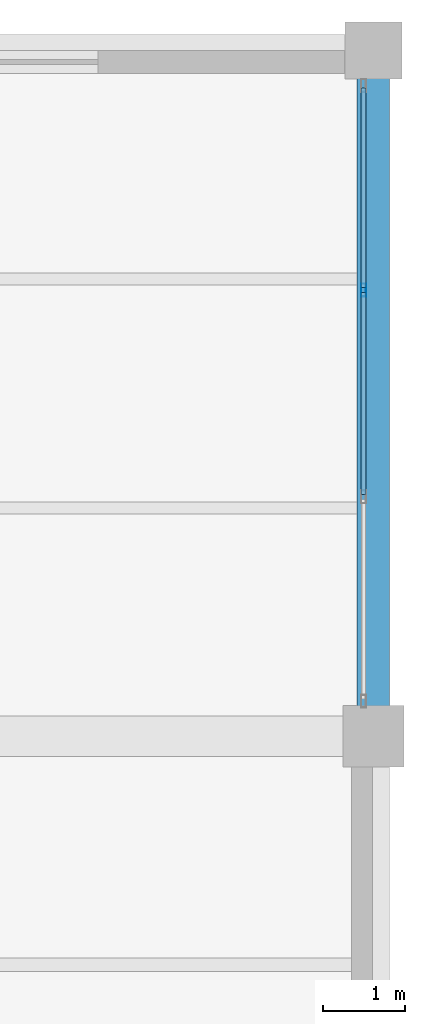
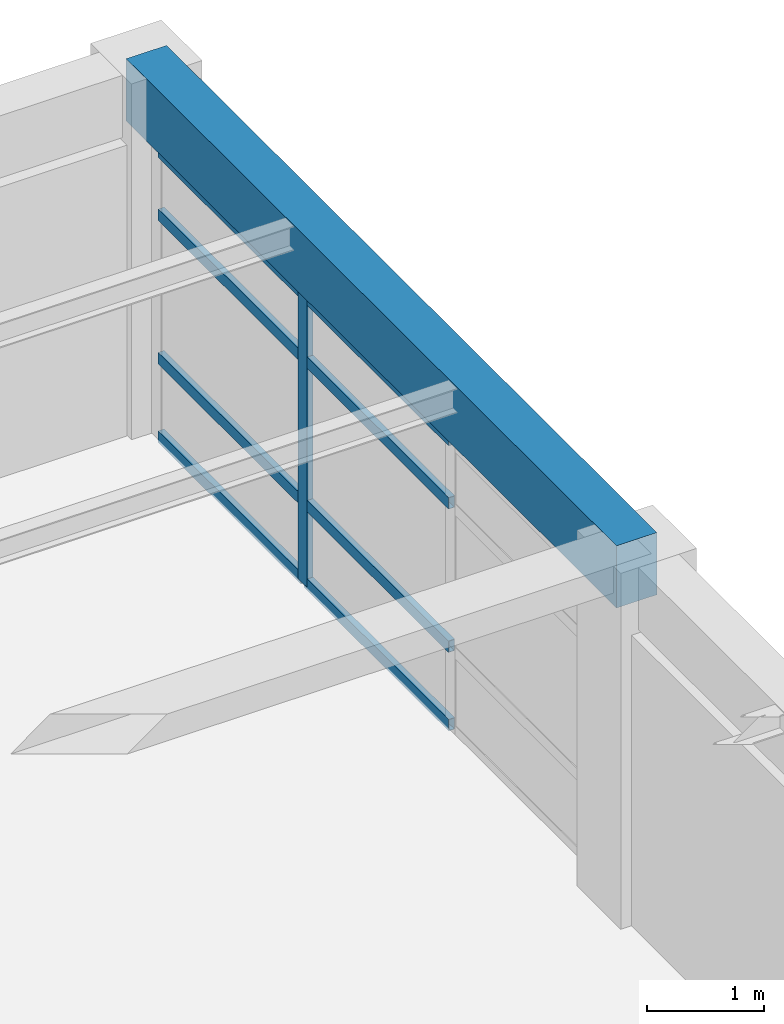
# One storey, part 19 of 31: 9 members, 1 beam, 1 element without a shape of its own.
"""IFC4 building model written with IfcOpenShell, lengths in metres."""

from ifc_helpers import new_model, si_unit, direction, frame, origin, origin_2d, place, context, subcontext, project, spatial, rectangle, hollow_rectangle, extrude, material, material_profile, profile_set, type_object, element, aggregate, save


model = new_model("IFC4")

# Units and contexts
model_context = context("Model", 3, precision=1e-05, world=origin(), true_north=direction((0.0, 1.0)))
body_context = subcontext(model_context, "Body", "Model", "MODEL_VIEW")
ifc_project = project(units=[si_unit("LENGTHUNIT", "METRE"), si_unit("AREAUNIT", "SQUARE_METRE"), si_unit("VOLUMEUNIT", "CUBIC_METRE"), si_unit("PLANEANGLEUNIT", "RADIAN"), si_unit("MASSUNIT", "GRAM", prefix="KILO")], contexts=[model_context])

# Site, building, storey
site_placement = place(None, origin())
site = spatial("IfcSite", under=ifc_project, at=site_placement, CompositionType="ELEMENT")
building_placement = place(site_placement, origin())
building = spatial("IfcBuilding", under=site, at=building_placement, Name="Almacenes y Pasaje Nevantli", CompositionType="ELEMENT")
storey_placement = place(building_placement, frame((0.0, 0.0, 34.699951171875)))
storey = spatial("IfcBuildingStorey", under=building, at=storey_placement, Name="L08", CompositionType="ELEMENT", Elevation=34.699951171875)

# Beam
ifc_material_1 = material(Name="Concrete C35/45", Category="concrete")
ifc_material_profile_1 = material_profile(ifc_material_1, rectangle(XDim=0.39990234375, YDim=0.64990234375, at=origin_2d()), Name="RC-BM-400x650")
ifc_profile_set_1 = profile_set([ifc_material_profile_1], Name="Concrete C35/45")
beam_type = type_object("IfcBeamType", Name="BM-RC-400x650", PredefinedType="SPANDREL", material=ifc_profile_set_1)
beam_placement = place(storey_placement, frame((159.60009765625, 92.39990234375, 3.39501953125), z_axis=(0.0, 1.0, 0.0), x_axis=(-1.0, 0.0, 0.0)))
element("IfcBeam", 1, at=beam_placement, inside=storey, type_object=beam_type, Name="L08 North-South Reinforced Concrete Beam #3740", PredefinedType="SPANDREL", context=body_context, shape_type="SweptSolid", body=[
    extrude(rectangle(XDim=0.39990234375, YDim=0.64990234375, at=origin_2d()), origin(), (0.0, 0.0, 1.0), 8.400146484375),
])

# Curtain wall, members
ifc_material_2 = material(Name="Thermally Broken Aluminium and Low-E Glass", Category="aluminium")
curtain_wall_type = type_object("IfcCurtainWallType", Name="CW-UNIT-TOWER", PredefinedType="USERDEFINED", material=ifc_material_2)
curtain_wall_placement = place(storey_placement, origin())
curtain_wall = element("IfcCurtainWall", 2, at=curtain_wall_placement, inside=storey, type_object=curtain_wall_type, Name="L08 Tower East Curtain Wall Bay 12", ObjectType="UNITIZED CURTAIN WALL", PredefinedType="USERDEFINED")
ifc_material_3 = material(Name="Thermally Broken Anodized Aluminium", Category="aluminium")
ifc_material_profile_2 = material_profile(ifc_material_3, hollow_rectangle(XDim=0.06005859375, YDim=0.159912109375, WallThickness=0.00390625, at=origin_2d()), Name="ALU-MUL-60x160")
ifc_profile_set_2 = profile_set([ifc_material_profile_2], Name="Thermally Broken Anodized Aluminium")
member_type_1 = type_object("IfcMemberType", Name="CW-MUL-180", PredefinedType="MULLION", material=ifc_profile_set_2)
member_1_placement = place(storey_placement, frame((159.47998046875, 97.86669921875, 0.0), z_axis=(0.0, 0.0, 1.0), x_axis=(-1.0, 0.0, 0.0)))
member_1 = element("IfcMember", 3, at=member_1_placement, type_object=member_type_1, Name="CW-L08-130 mullion 3", PredefinedType="MULLION", context=body_context, shape_type="SweptSolid", body=[
    extrude(hollow_rectangle(XDim=0.06005859375, YDim=0.159912109375, WallThickness=0.00390625, at=origin_2d()), origin(), (0.0, 0.0, 1.0), 3.0400390625),
])
ifc_material_4 = material(Name="Thermally Broken Anodized Aluminium", Category="aluminium")
ifc_material_profile_3 = material_profile(ifc_material_4, hollow_rectangle(XDim=0.06005859375, YDim=0.1201171875, WallThickness=0.00341796875, at=origin_2d()), Name="ALU-TRN-60x120")
ifc_profile_set_3 = profile_set([ifc_material_profile_3], Name="Thermally Broken Anodized Aluminium")
member_type_2 = type_object("IfcMemberType", Name="CW-TRN-130", PredefinedType="USERDEFINED", material=ifc_profile_set_3)
member_2_placement = place(storey_placement, frame((159.47998046875, 95.36328125, 0.030029296875), z_axis=(0.0, 1.0, 0.0), x_axis=(-1.0, 0.0, 0.0)))
member_2 = element("IfcMember", 4, at=member_2_placement, type_object=member_type_2, Name="CW-L08-130 transom 2.1", ObjectType="TRANSOM", PredefinedType="USERDEFINED", context=body_context, shape_type="SweptSolid", body=[
    extrude(hollow_rectangle(XDim=0.06005859375, YDim=0.1201171875, WallThickness=0.00341796875, at=origin_2d()), origin(), (0.0, 0.0, 1.0), 2.473388671875),
])
member_3_placement = place(storey_placement, frame((159.47998046875, 95.36328125, 0.85009765625), z_axis=(0.0, 1.0, 0.0), x_axis=(-1.0, 0.0, 0.0)))
member_3 = element("IfcMember", 5, at=member_3_placement, type_object=member_type_2, Name="CW-L08-130 transom 2.2", ObjectType="TRANSOM", PredefinedType="USERDEFINED", context=body_context, shape_type="SweptSolid", body=[
    extrude(hollow_rectangle(XDim=0.06005859375, YDim=0.1201171875, WallThickness=0.00341796875, at=origin_2d()), origin(), (0.0, 0.0, 1.0), 2.473388671875),
])
member_4_placement = place(storey_placement, frame((159.47998046875, 95.36328125, 2.35009765625), z_axis=(0.0, 1.0, 0.0), x_axis=(-1.0, 0.0, 0.0)))
member_4 = element("IfcMember", 6, at=member_4_placement, type_object=member_type_2, Name="CW-L08-130 transom 2.3", ObjectType="TRANSOM", PredefinedType="USERDEFINED", context=body_context, shape_type="SweptSolid", body=[
    extrude(hollow_rectangle(XDim=0.06005859375, YDim=0.1201171875, WallThickness=0.00341796875, at=origin_2d()), origin(), (0.0, 0.0, 1.0), 2.473388671875),
])
member_5_placement = place(storey_placement, frame((159.47998046875, 95.36328125, 3.010009765625), z_axis=(0.0, 1.0, 0.0), x_axis=(-1.0, 0.0, 0.0)))
member_5 = element("IfcMember", 7, at=member_5_placement, type_object=member_type_2, Name="CW-L08-130 transom 2.4", ObjectType="TRANSOM", PredefinedType="USERDEFINED", context=body_context, shape_type="SweptSolid", body=[
    extrude(hollow_rectangle(XDim=0.06005859375, YDim=0.1201171875, WallThickness=0.00341796875, at=origin_2d()), origin(), (0.0, 0.0, 1.0), 2.473388671875),
])
member_6_placement = place(storey_placement, frame((159.47998046875, 97.896728515625, 0.030029296875), z_axis=(0.0, 1.0, 0.0), x_axis=(-1.0, 0.0, 0.0)))
member_6 = element("IfcMember", 8, at=member_6_placement, type_object=member_type_2, Name="CW-L08-130 transom 3.1", ObjectType="TRANSOM", PredefinedType="USERDEFINED", context=body_context, shape_type="SweptSolid", body=[
    extrude(hollow_rectangle(XDim=0.06005859375, YDim=0.1201171875, WallThickness=0.00341796875, at=origin_2d()), origin(), (0.0, 0.0, 1.0), 2.443359375),
])
member_7_placement = place(storey_placement, frame((159.47998046875, 97.896728515625, 0.85009765625), z_axis=(0.0, 1.0, 0.0), x_axis=(-1.0, 0.0, 0.0)))
member_7 = element("IfcMember", 9, at=member_7_placement, type_object=member_type_2, Name="CW-L08-130 transom 3.2", ObjectType="TRANSOM", PredefinedType="USERDEFINED", context=body_context, shape_type="SweptSolid", body=[
    extrude(hollow_rectangle(XDim=0.06005859375, YDim=0.1201171875, WallThickness=0.00341796875, at=origin_2d()), origin(), (0.0, 0.0, 1.0), 2.443359375),
])
member_8_placement = place(storey_placement, frame((159.47998046875, 97.896728515625, 2.35009765625), z_axis=(0.0, 1.0, 0.0), x_axis=(-1.0, 0.0, 0.0)))
member_8 = element("IfcMember", 10, at=member_8_placement, type_object=member_type_2, Name="CW-L08-130 transom 3.3", ObjectType="TRANSOM", PredefinedType="USERDEFINED", context=body_context, shape_type="SweptSolid", body=[
    extrude(hollow_rectangle(XDim=0.06005859375, YDim=0.1201171875, WallThickness=0.00341796875, at=origin_2d()), origin(), (0.0, 0.0, 1.0), 2.443359375),
])
member_9_placement = place(storey_placement, frame((159.47998046875, 97.896728515625, 3.010009765625), z_axis=(0.0, 1.0, 0.0), x_axis=(-1.0, 0.0, 0.0)))
member_9 = element("IfcMember", 11, at=member_9_placement, type_object=member_type_2, Name="CW-L08-130 transom 3.4", ObjectType="TRANSOM", PredefinedType="USERDEFINED", context=body_context, shape_type="SweptSolid", body=[
    extrude(hollow_rectangle(XDim=0.06005859375, YDim=0.1201171875, WallThickness=0.00341796875, at=origin_2d()), origin(), (0.0, 0.0, 1.0), 2.443359375),
])
aggregate(curtain_wall, [member_1, member_2, member_3, member_4, member_5, member_6, member_7, member_8, member_9])

save(model, "model.ifc")
